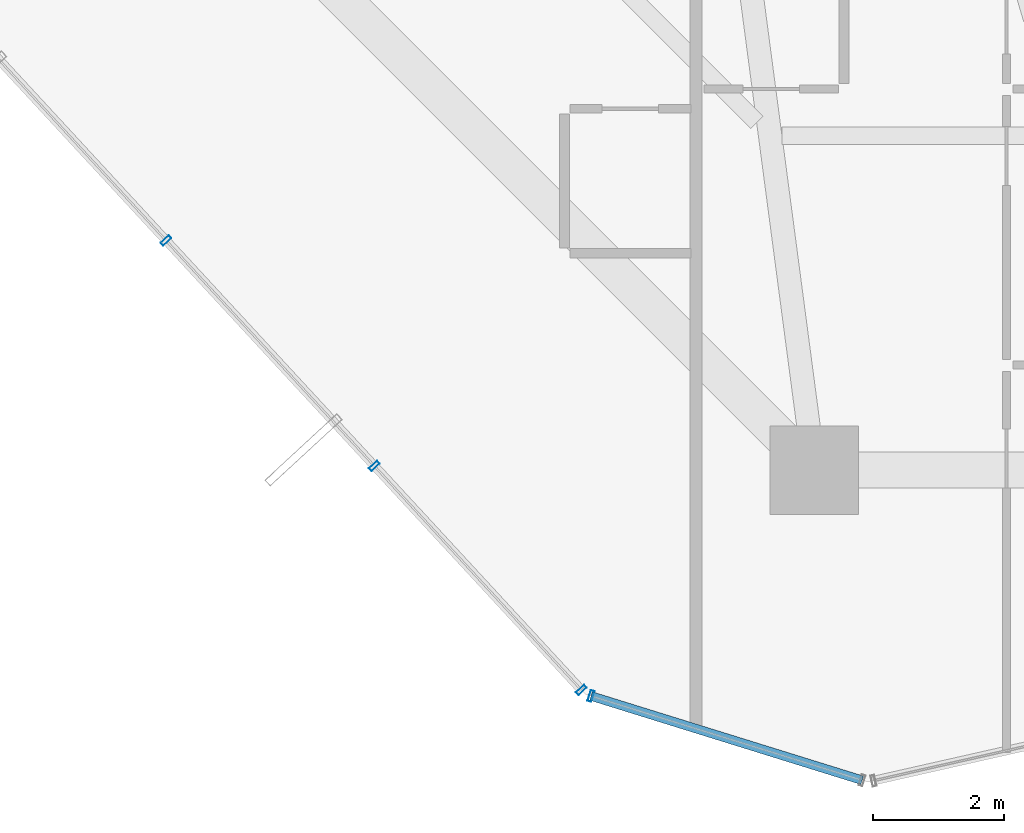
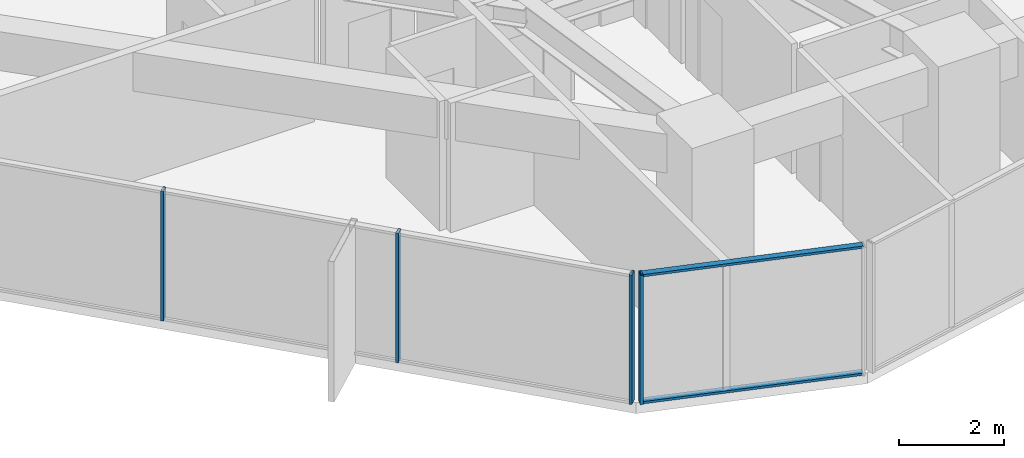
# One storey, part 2 of 39: 6 members, 2 elements without a shape of their own.
"""IFC4 building model written with IfcOpenShell, lengths in metres."""

from ifc_helpers import new_model, si_unit, direction, frame, origin, origin_2d, place, context, subcontext, project, spatial, hollow_rectangle, extrude, source, transform, mapped, material, layer, layer_set, material_profile, profile_set, type_object, element, aggregate, save


model = new_model("IFC4")

# Units and contexts
model_context = context("Model", 3, precision=1e-05, world=origin(), true_north=direction((0.0, 1.0)))
body_context = subcontext(model_context, "Body", "Model", "MODEL_VIEW")
ifc_project = project(units=[si_unit("LENGTHUNIT", "METRE"), si_unit("AREAUNIT", "SQUARE_METRE"), si_unit("VOLUMEUNIT", "CUBIC_METRE"), si_unit("PLANEANGLEUNIT", "RADIAN"), si_unit("MASSUNIT", "GRAM", prefix="KILO")], contexts=[model_context])

# Site, building, storey
site_placement = place(None, origin())
site = spatial("IfcSite", under=ifc_project, at=site_placement, CompositionType="ELEMENT")
building_placement = place(site_placement, origin())
building = spatial("IfcBuilding", under=site, at=building_placement, Name="Veraguas Prism Commons", CompositionType="ELEMENT")
storey_placement = place(building_placement, frame((0.0, 0.0, 67.35009765625)))
storey = spatial("IfcBuildingStorey", under=building, at=storey_placement, Name="L18", CompositionType="ELEMENT", Elevation=67.35009765625)

# Curtain wall, members
ifc_material = material(Name="Anodised aluminium EN AW-6063 T6", Category="aluminium")
ifc_layer = layer(ifc_material, 0.169921875, Name="Unitised Flush Curtain Wall Zone 1", Category="aluminium")
ifc_layer_set = layer_set([ifc_layer], Name="Anodised aluminium EN AW-6063 T6")
curtain_wall_type = type_object("IfcCurtainWallType", Name="Unitised Flush Curtain Wall Zone 1", PredefinedType="NOTDEFINED", material=ifc_layer_set)
curtain_wall_1_placement = place(storey_placement, origin())
curtain_wall_1 = element("IfcCurtainWall", 1, at=curtain_wall_1_placement, inside=storey, type_object=curtain_wall_type, Name="Tower Facade Curtain Wall L18-F4", PredefinedType="NOTDEFINED")
ifc_material_profile_1 = material_profile(ifc_material, hollow_rectangle(XDim=0.06005859375, YDim=0.169921875, WallThickness=0.00390625, at=origin_2d()), Name="AL60X170X4")
ifc_profile_set_1 = profile_set([ifc_material_profile_1], Name="Anodised aluminium EN AW-6063 T6")
member_type_1 = type_object("IfcMemberType", Name="Curtain Wall Mullion Lower AL 60x170x4", PredefinedType="MULLION", material=ifc_profile_set_1)
shared_shape_1 = source(origin(), body_context, "Body", "SweptSolid", [
    extrude(hollow_rectangle(XDim=0.06005859375, YDim=0.169921875, WallThickness=0.00390625, at=origin_2d()), origin(), (0.0, 0.0, 1.0), 3.0),
])
member_1_placement = place(storey_placement, frame((8.73486328125, 9.89404296875, 0.0), z_axis=(0.0, 0.0, 1.0), x_axis=(0.678677699088, -0.734436233284, 0.0)))
member_1 = element("IfcMember", 2, at=member_1_placement, type_object=member_type_1, Name="CW-Z1 Mullion 3", PredefinedType="MULLION", context=body_context, shape_type="MappedRepresentation", body=[
    mapped(shared_shape_1, transform((0.0, 0.0, 0.0), scale=1.0)),
])
member_2_placement = place(storey_placement, frame((11.905029296875, 6.463623046875, 0.0), z_axis=(0.0, 0.0, 1.0), x_axis=(0.678677699088, -0.734436233284, 0.0)))
member_2 = element("IfcMember", 3, at=member_2_placement, type_object=member_type_1, Name="CW-Z1 Mullion 4", PredefinedType="MULLION", context=body_context, shape_type="MappedRepresentation", body=[
    mapped(shared_shape_1, transform((0.0, 0.0, 0.0), scale=1.0)),
])
member_3_placement = place(storey_placement, frame((15.0546875, 3.054931640625, 0.0), z_axis=(0.0, 0.0, 1.0), x_axis=(0.678677699088, -0.734436233284, 0.0)))
member_3 = element("IfcMember", 4, at=member_3_placement, type_object=member_type_1, Name="CW-Z1 Mullion 5", PredefinedType="MULLION", context=body_context, shape_type="MappedRepresentation", body=[
    mapped(shared_shape_1, transform((0.0, 0.0, 0.0), scale=1.0)),
])
aggregate(curtain_wall_1, [member_1, member_2, member_3])

curtain_wall_2_placement = place(storey_placement, origin())
curtain_wall_2 = element("IfcCurtainWall", 5, at=curtain_wall_2_placement, inside=storey, type_object=curtain_wall_type, Name="Chamfer Curtain Wall L18-C5", PredefinedType="NOTDEFINED")
member_4_placement = place(storey_placement, frame((15.20166015625, 2.962158203125, 0.0), z_axis=(0.0, 0.0, 1.0), x_axis=(0.954965584339, -0.296716586541, 0.0)))
member_4 = element("IfcMember", 6, at=member_4_placement, type_object=member_type_1, Name="CW-Z1 Mullion 1", PredefinedType="MULLION", context=body_context, shape_type="MappedRepresentation", body=[
    mapped(shared_shape_1, transform((0.0, 0.0, 0.0), scale=1.0)),
])
ifc_material_profile_2 = material_profile(ifc_material, hollow_rectangle(XDim=0.054931640625, YDim=0.135009765625, WallThickness=0.0029296875, at=origin_2d()), Name="AL55X135X3")
ifc_profile_set_2 = profile_set([ifc_material_profile_2], Name="Anodised aluminium EN AW-6063 T6")
member_type_2 = type_object("IfcMemberType", Name="Curtain Wall Transom Standard AL 55x135x3", PredefinedType="USERDEFINED", material=ifc_profile_set_2)
shared_shape_2 = source(origin(), body_context, "Body", "SweptSolid", [
    extrude(hollow_rectangle(XDim=0.054931640625, YDim=0.135009765625, WallThickness=0.0029296875, at=origin_2d()), origin(), (0.0, 0.0, 1.0), 4.320068359375),
])
member_5_placement = place(storey_placement, frame((15.20166015625, 2.962158203125, 0.02734375), z_axis=(0.954971412277, -0.296697829001, 0.0), x_axis=(0.0, 0.0, 1.0)))
member_5 = element("IfcMember", 7, at=member_5_placement, type_object=member_type_2, Name="CW-Z1 Transom 1", ObjectType="TRANSOM", PredefinedType="USERDEFINED", context=body_context, shape_type="MappedRepresentation", body=[
    mapped(shared_shape_2, transform((0.0, 0.0, 0.0), scale=1.0)),
])
member_6_placement = place(storey_placement, frame((15.20166015625, 2.962158203125, 2.972412109375), z_axis=(0.954971412277, -0.296697829001, 0.0), x_axis=(0.0, 0.0, 1.0)))
member_6 = element("IfcMember", 8, at=member_6_placement, type_object=member_type_2, Name="CW-Z1 Transom 2", ObjectType="TRANSOM", PredefinedType="USERDEFINED", context=body_context, shape_type="MappedRepresentation", body=[
    mapped(shared_shape_2, transform((0.0, 0.0, 0.0), scale=1.0)),
])
aggregate(curtain_wall_2, [member_4, member_5, member_6])

save(model, "model.ifc")
